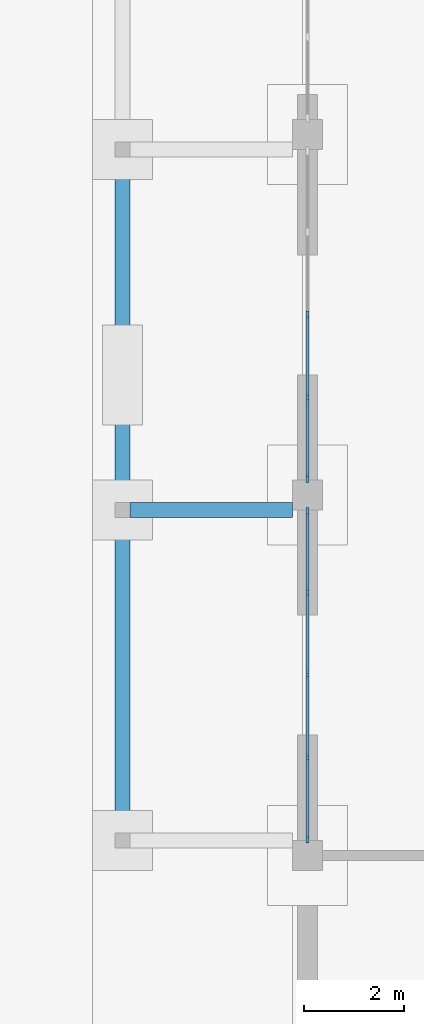
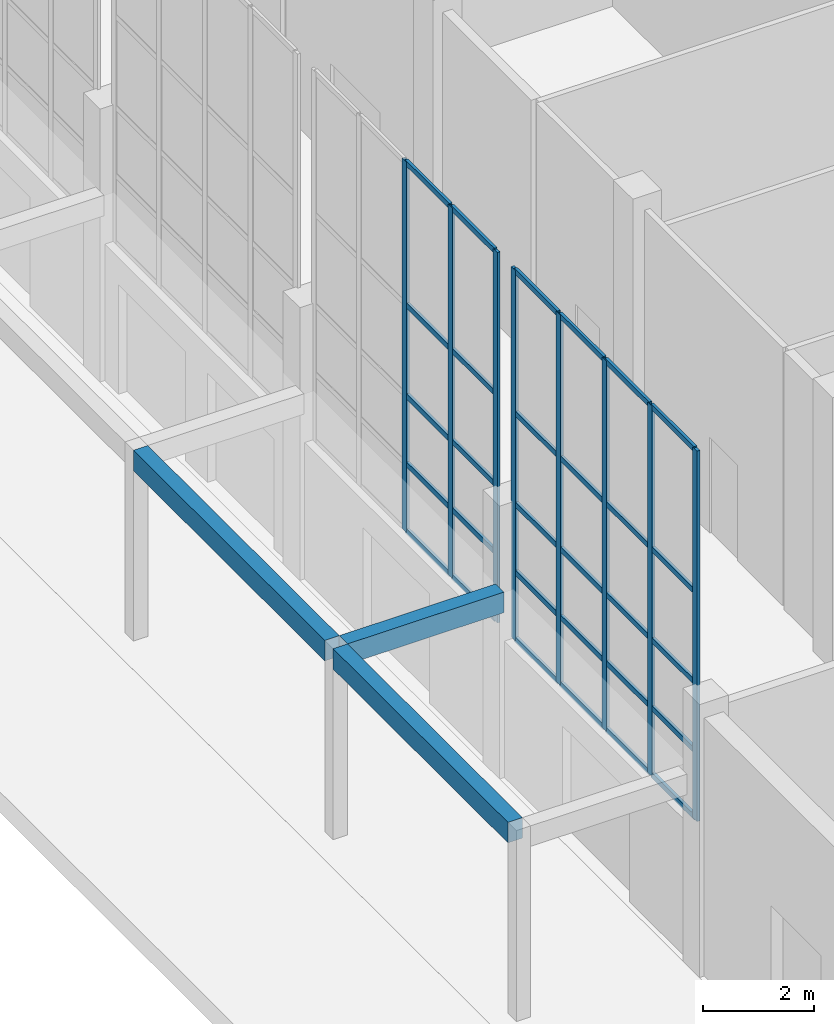
# One storey, part 8 of 70: 38 members, 3 beams, 2 elements without a shape of their own.
"""IFC4 building model written with IfcOpenShell, lengths in metres."""

from ifc_helpers import new_model, si_unit, direction, frame, origin, origin_2d, place, context, subcontext, project, spatial, rectangle, extrude, material, material_profile, profile_set, type_object, element, aggregate, save


model = new_model("IFC4")

# Units and contexts
model_context = context("Model", 3, precision=1e-05, world=origin(), true_north=direction((0.0, 1.0)))
body_context = subcontext(model_context, "Body", "Model", "MODEL_VIEW")
ifc_project = project(units=[si_unit("LENGTHUNIT", "METRE"), si_unit("AREAUNIT", "SQUARE_METRE"), si_unit("VOLUMEUNIT", "CUBIC_METRE"), si_unit("PLANEANGLEUNIT", "RADIAN"), si_unit("MASSUNIT", "GRAM", prefix="KILO")], contexts=[model_context])

# Site, building, storey
site_placement = place(None, origin())
site = spatial("IfcSite", under=ifc_project, at=site_placement, CompositionType="ELEMENT")
building_placement = place(site_placement, origin())
building = spatial("IfcBuilding", under=site, at=building_placement, Name="Vermilion Court Aquatics Centre", CompositionType="ELEMENT")
storey_placement = place(building_placement, origin())
storey = spatial("IfcBuildingStorey", under=building, at=storey_placement, Name="L00", CompositionType="ELEMENT", Elevation=0.0)

# Beams
ifc_material_1 = material(Name="Concrete 5000 psi", Category="concrete")
ifc_material_profile_1 = material_profile(ifc_material_1, rectangle(XDim=0.300048828125, YDim=0.449951171875, at=origin_2d()), Name="RC 300x450")
ifc_profile_set_1 = profile_set([ifc_material_profile_1], Name="Concrete 5000 psi")
beam_type = type_object("IfcBeamType", Name="Foyer canopy beam RC 300x450", PredefinedType="BEAM", material=ifc_profile_set_1)
beam_1_placement = place(storey_placement, frame((-3.25, 21.300048828125, 3.97509765625), z_axis=(1.0, 0.0, 0.0), x_axis=(0.0, 1.0, 0.0)))
element("IfcBeam", 1, at=beam_1_placement, inside=storey, type_object=beam_type, Name="Foyer canopy beam", PredefinedType="BEAM", context=body_context, shape_type="SweptSolid", body=[
    extrude(rectangle(XDim=0.300048828125, YDim=0.449951171875, at=origin_2d()), origin(), (0.0, 0.0, 1.0), 3.25),
])
beam_2_placement = place(storey_placement, frame((-3.39990234375, 14.85009765625, 3.97509765625), z_axis=(0.0, 1.0, 0.0), x_axis=(-1.0, 0.0, 0.0)))
element("IfcBeam", 2, at=beam_2_placement, inside=storey, type_object=beam_type, Name="Foyer canopy edge beam", PredefinedType="BEAM", context=body_context, shape_type="SweptSolid", body=[
    extrude(rectangle(XDim=0.300048828125, YDim=0.449951171875, at=origin_2d()), origin(), (0.0, 0.0, 1.0), 6.2998046875),
])
beam_3_placement = place(storey_placement, frame((-3.39990234375, 21.449951171875, 3.97509765625), z_axis=(0.0, 1.0, 0.0), x_axis=(-1.0, 0.0, 0.0)))
element("IfcBeam", 3, at=beam_3_placement, inside=storey, type_object=beam_type, Name="Foyer canopy edge beam", PredefinedType="BEAM", context=body_context, shape_type="SweptSolid", body=[
    extrude(rectangle(XDim=0.300048828125, YDim=0.449951171875, at=origin_2d()), origin(), (0.0, 0.0, 1.0), 6.900146484375),
])

# Curtain wall, members
ifc_material_2 = material(Name="Aluminium 6063-T5", Category="aluminium")
curtain_wall_type = type_object("IfcCurtainWallType", Name="Foyer curtain wall", PredefinedType="NOTDEFINED", material=ifc_material_2)
curtain_wall_1_placement = place(storey_placement, origin())
curtain_wall_1 = element("IfcCurtainWall", 4, at=curtain_wall_1_placement, inside=storey, type_object=curtain_wall_type, Name="Foyer curtain wall 3", PredefinedType="NOTDEFINED")
ifc_material_3 = material(Name="Aluminium 6063-T5", Category="aluminium")
ifc_material_profile_2 = material_profile(ifc_material_3, rectangle(XDim=0.06005859375, YDim=0.159912109375, at=origin_2d()), Name="Aluminium 60x160")
ifc_profile_set_2 = profile_set([ifc_material_profile_2], Name="Aluminium 6063-T5")
member_type_1 = type_object("IfcMemberType", Name="Foyer mullion 60x160", PredefinedType="MULLION", material=ifc_profile_set_2)
member_1_placement = place(storey_placement, frame((0.300048828125, 14.72998046875, 3.0), z_axis=(0.0, 0.0, 1.0), x_axis=(-1.0, 0.0, 0.0)))
member_1 = element("IfcMember", 5, at=member_1_placement, type_object=member_type_1, Name="FCW1 mullion 1", PredefinedType="MULLION", context=body_context, shape_type="SweptSolid", body=[
    extrude(rectangle(XDim=0.06005859375, YDim=0.159912109375, at=origin_2d()), origin(), (0.0, 0.0, 1.0), 8.14990234375),
])
member_2_placement = place(storey_placement, frame((0.300048828125, 16.35009765625, 3.0), z_axis=(0.0, 0.0, 1.0), x_axis=(-1.0, 0.0, 0.0)))
member_2 = element("IfcMember", 6, at=member_2_placement, type_object=member_type_1, Name="FCW1 mullion 2", PredefinedType="MULLION", context=body_context, shape_type="SweptSolid", body=[
    extrude(rectangle(XDim=0.06005859375, YDim=0.159912109375, at=origin_2d()), origin(), (0.0, 0.0, 1.0), 8.14990234375),
])
member_3_placement = place(storey_placement, frame((0.300048828125, 18.0, 3.0), z_axis=(0.0, 0.0, 1.0), x_axis=(-1.0, 0.0, 0.0)))
member_3 = element("IfcMember", 7, at=member_3_placement, type_object=member_type_1, Name="FCW1 mullion 3", PredefinedType="MULLION", context=body_context, shape_type="SweptSolid", body=[
    extrude(rectangle(XDim=0.06005859375, YDim=0.159912109375, at=origin_2d()), origin(), (0.0, 0.0, 1.0), 8.14990234375),
])
member_4_placement = place(storey_placement, frame((0.300048828125, 19.64990234375, 3.0), z_axis=(0.0, 0.0, 1.0), x_axis=(-1.0, 0.0, 0.0)))
member_4 = element("IfcMember", 8, at=member_4_placement, type_object=member_type_1, Name="FCW1 mullion 4", PredefinedType="MULLION", context=body_context, shape_type="SweptSolid", body=[
    extrude(rectangle(XDim=0.06005859375, YDim=0.159912109375, at=origin_2d()), origin(), (0.0, 0.0, 1.0), 8.14990234375),
])
member_5_placement = place(storey_placement, frame((0.300048828125, 21.27001953125, 3.0), z_axis=(0.0, 0.0, 1.0), x_axis=(-1.0, 0.0, 0.0)))
member_5 = element("IfcMember", 9, at=member_5_placement, type_object=member_type_1, Name="FCW1 mullion 5", PredefinedType="MULLION", context=body_context, shape_type="SweptSolid", body=[
    extrude(rectangle(XDim=0.06005859375, YDim=0.159912109375, at=origin_2d()), origin(), (0.0, 0.0, 1.0), 8.14990234375),
])

curtain_wall_2_placement = place(storey_placement, origin())
curtain_wall_2 = element("IfcCurtainWall", 10, at=curtain_wall_2_placement, inside=storey, type_object=curtain_wall_type, Name="Foyer curtain wall 4", PredefinedType="NOTDEFINED")
member_6_placement = place(storey_placement, frame((0.300048828125, 21.929931640625, 3.0), z_axis=(0.0, 0.0, 1.0), x_axis=(-1.0, 0.0, 0.0)))
member_6 = element("IfcMember", 11, at=member_6_placement, type_object=member_type_1, Name="FCW1 mullion 1", PredefinedType="MULLION", context=body_context, shape_type="SweptSolid", body=[
    extrude(rectangle(XDim=0.06005859375, YDim=0.159912109375, at=origin_2d()), origin(), (0.0, 0.0, 1.0), 8.14990234375),
])
member_7_placement = place(storey_placement, frame((0.300048828125, 23.550048828125, 3.0), z_axis=(0.0, 0.0, 1.0), x_axis=(-1.0, 0.0, 0.0)))
member_7 = element("IfcMember", 12, at=member_7_placement, type_object=member_type_1, Name="FCW1 mullion 2", PredefinedType="MULLION", context=body_context, shape_type="SweptSolid", body=[
    extrude(rectangle(XDim=0.06005859375, YDim=0.159912109375, at=origin_2d()), origin(), (0.0, 0.0, 1.0), 8.14990234375),
])
member_8_placement = place(storey_placement, frame((0.300048828125, 25.199951171875, 3.0), z_axis=(0.0, 0.0, 1.0), x_axis=(-1.0, 0.0, 0.0)))
member_8 = element("IfcMember", 13, at=member_8_placement, type_object=member_type_1, Name="FCW1 mullion 3", PredefinedType="MULLION", context=body_context, shape_type="SweptSolid", body=[
    extrude(rectangle(XDim=0.06005859375, YDim=0.159912109375, at=origin_2d()), origin(), (0.0, 0.0, 1.0), 8.14990234375),
])

# Member
ifc_material_4 = material(Name="Aluminium 6063-T5", Category="aluminium")
ifc_material_profile_3 = material_profile(ifc_material_4, rectangle(XDim=0.06005859375, YDim=0.1201171875, at=origin_2d()), Name="Aluminium 60x120")
ifc_profile_set_3 = profile_set([ifc_material_profile_3], Name="Aluminium 6063-T5")
member_type_2 = type_object("IfcMemberType", Name="Foyer transom 60x120", PredefinedType="USERDEFINED", material=ifc_profile_set_3)
member_9_placement = place(storey_placement, frame((0.300048828125, 14.760009765625, 3.030029296875), z_axis=(0.0, 1.0, 0.0), x_axis=(-1.0, 0.0, 0.0)))
member_9 = element("IfcMember", 14, at=member_9_placement, type_object=member_type_2, Name="FCW1 transom 1.1", ObjectType="TRANSOM", PredefinedType="USERDEFINED", context=body_context, shape_type="SweptSolid", body=[
    extrude(rectangle(XDim=0.06005859375, YDim=0.1201171875, at=origin_2d()), origin(), (0.0, 0.0, 1.0), 1.56005859375),
])

member_10_placement = place(storey_placement, frame((0.300048828125, 14.760009765625, 4.5), z_axis=(0.0, 1.0, 0.0), x_axis=(-1.0, 0.0, 0.0)))
member_10 = element("IfcMember", 15, at=member_10_placement, type_object=member_type_2, Name="FCW1 transom 1.2", ObjectType="TRANSOM", PredefinedType="USERDEFINED", context=body_context, shape_type="SweptSolid", body=[
    extrude(rectangle(XDim=0.06005859375, YDim=0.1201171875, at=origin_2d()), origin(), (0.0, 0.0, 1.0), 1.56005859375),
])

member_11_placement = place(storey_placement, frame((0.300048828125, 14.760009765625, 6.0), z_axis=(0.0, 1.0, 0.0), x_axis=(-1.0, 0.0, 0.0)))
member_11 = element("IfcMember", 16, at=member_11_placement, type_object=member_type_2, Name="FCW1 transom 1.3", ObjectType="TRANSOM", PredefinedType="USERDEFINED", context=body_context, shape_type="SweptSolid", body=[
    extrude(rectangle(XDim=0.06005859375, YDim=0.1201171875, at=origin_2d()), origin(), (0.0, 0.0, 1.0), 1.56005859375),
])

member_12_placement = place(storey_placement, frame((0.300048828125, 14.760009765625, 8.0), z_axis=(0.0, 1.0, 0.0), x_axis=(-1.0, 0.0, 0.0)))
member_12 = element("IfcMember", 17, at=member_12_placement, type_object=member_type_2, Name="FCW1 transom 1.4", ObjectType="TRANSOM", PredefinedType="USERDEFINED", context=body_context, shape_type="SweptSolid", body=[
    extrude(rectangle(XDim=0.06005859375, YDim=0.1201171875, at=origin_2d()), origin(), (0.0, 0.0, 1.0), 1.56005859375),
])

member_13_placement = place(storey_placement, frame((0.300048828125, 14.760009765625, 11.1201171875), z_axis=(0.0, 1.0, 0.0), x_axis=(-1.0, 0.0, 0.0)))
member_13 = element("IfcMember", 18, at=member_13_placement, type_object=member_type_2, Name="FCW1 transom 1.5", ObjectType="TRANSOM", PredefinedType="USERDEFINED", context=body_context, shape_type="SweptSolid", body=[
    extrude(rectangle(XDim=0.06005859375, YDim=0.1201171875, at=origin_2d()), origin(), (0.0, 0.0, 1.0), 1.56005859375),
])

member_14_placement = place(storey_placement, frame((0.300048828125, 16.3798828125, 3.030029296875), z_axis=(0.0, 1.0, 0.0), x_axis=(-1.0, 0.0, 0.0)))
member_14 = element("IfcMember", 19, at=member_14_placement, type_object=member_type_2, Name="FCW1 transom 2.1", ObjectType="TRANSOM", PredefinedType="USERDEFINED", context=body_context, shape_type="SweptSolid", body=[
    extrude(rectangle(XDim=0.06005859375, YDim=0.1201171875, at=origin_2d()), origin(), (0.0, 0.0, 1.0), 1.590087890625),
])

member_15_placement = place(storey_placement, frame((0.300048828125, 16.3798828125, 4.5), z_axis=(0.0, 1.0, 0.0), x_axis=(-1.0, 0.0, 0.0)))
member_15 = element("IfcMember", 20, at=member_15_placement, type_object=member_type_2, Name="FCW1 transom 2.2", ObjectType="TRANSOM", PredefinedType="USERDEFINED", context=body_context, shape_type="SweptSolid", body=[
    extrude(rectangle(XDim=0.06005859375, YDim=0.1201171875, at=origin_2d()), origin(), (0.0, 0.0, 1.0), 1.590087890625),
])

member_16_placement = place(storey_placement, frame((0.300048828125, 16.3798828125, 6.0), z_axis=(0.0, 1.0, 0.0), x_axis=(-1.0, 0.0, 0.0)))
member_16 = element("IfcMember", 21, at=member_16_placement, type_object=member_type_2, Name="FCW1 transom 2.3", ObjectType="TRANSOM", PredefinedType="USERDEFINED", context=body_context, shape_type="SweptSolid", body=[
    extrude(rectangle(XDim=0.06005859375, YDim=0.1201171875, at=origin_2d()), origin(), (0.0, 0.0, 1.0), 1.590087890625),
])

member_17_placement = place(storey_placement, frame((0.300048828125, 16.3798828125, 8.0), z_axis=(0.0, 1.0, 0.0), x_axis=(-1.0, 0.0, 0.0)))
member_17 = element("IfcMember", 22, at=member_17_placement, type_object=member_type_2, Name="FCW1 transom 2.4", ObjectType="TRANSOM", PredefinedType="USERDEFINED", context=body_context, shape_type="SweptSolid", body=[
    extrude(rectangle(XDim=0.06005859375, YDim=0.1201171875, at=origin_2d()), origin(), (0.0, 0.0, 1.0), 1.590087890625),
])

member_18_placement = place(storey_placement, frame((0.300048828125, 16.3798828125, 11.1201171875), z_axis=(0.0, 1.0, 0.0), x_axis=(-1.0, 0.0, 0.0)))
member_18 = element("IfcMember", 23, at=member_18_placement, type_object=member_type_2, Name="FCW1 transom 2.5", ObjectType="TRANSOM", PredefinedType="USERDEFINED", context=body_context, shape_type="SweptSolid", body=[
    extrude(rectangle(XDim=0.06005859375, YDim=0.1201171875, at=origin_2d()), origin(), (0.0, 0.0, 1.0), 1.590087890625),
])

member_19_placement = place(storey_placement, frame((0.300048828125, 18.030029296875, 3.030029296875), z_axis=(0.0, 1.0, 0.0), x_axis=(-1.0, 0.0, 0.0)))
member_19 = element("IfcMember", 24, at=member_19_placement, type_object=member_type_2, Name="FCW1 transom 3.1", ObjectType="TRANSOM", PredefinedType="USERDEFINED", context=body_context, shape_type="SweptSolid", body=[
    extrude(rectangle(XDim=0.06005859375, YDim=0.1201171875, at=origin_2d()), origin(), (0.0, 0.0, 1.0), 1.590087890625),
])

member_20_placement = place(storey_placement, frame((0.300048828125, 18.030029296875, 4.5), z_axis=(0.0, 1.0, 0.0), x_axis=(-1.0, 0.0, 0.0)))
member_20 = element("IfcMember", 25, at=member_20_placement, type_object=member_type_2, Name="FCW1 transom 3.2", ObjectType="TRANSOM", PredefinedType="USERDEFINED", context=body_context, shape_type="SweptSolid", body=[
    extrude(rectangle(XDim=0.06005859375, YDim=0.1201171875, at=origin_2d()), origin(), (0.0, 0.0, 1.0), 1.590087890625),
])

member_21_placement = place(storey_placement, frame((0.300048828125, 18.030029296875, 6.0), z_axis=(0.0, 1.0, 0.0), x_axis=(-1.0, 0.0, 0.0)))
member_21 = element("IfcMember", 26, at=member_21_placement, type_object=member_type_2, Name="FCW1 transom 3.3", ObjectType="TRANSOM", PredefinedType="USERDEFINED", context=body_context, shape_type="SweptSolid", body=[
    extrude(rectangle(XDim=0.06005859375, YDim=0.1201171875, at=origin_2d()), origin(), (0.0, 0.0, 1.0), 1.590087890625),
])

member_22_placement = place(storey_placement, frame((0.300048828125, 18.030029296875, 8.0), z_axis=(0.0, 1.0, 0.0), x_axis=(-1.0, 0.0, 0.0)))
member_22 = element("IfcMember", 27, at=member_22_placement, type_object=member_type_2, Name="FCW1 transom 3.4", ObjectType="TRANSOM", PredefinedType="USERDEFINED", context=body_context, shape_type="SweptSolid", body=[
    extrude(rectangle(XDim=0.06005859375, YDim=0.1201171875, at=origin_2d()), origin(), (0.0, 0.0, 1.0), 1.590087890625),
])

member_23_placement = place(storey_placement, frame((0.300048828125, 18.030029296875, 11.1201171875), z_axis=(0.0, 1.0, 0.0), x_axis=(-1.0, 0.0, 0.0)))
member_23 = element("IfcMember", 28, at=member_23_placement, type_object=member_type_2, Name="FCW1 transom 3.5", ObjectType="TRANSOM", PredefinedType="USERDEFINED", context=body_context, shape_type="SweptSolid", body=[
    extrude(rectangle(XDim=0.06005859375, YDim=0.1201171875, at=origin_2d()), origin(), (0.0, 0.0, 1.0), 1.590087890625),
])

member_24_placement = place(storey_placement, frame((0.300048828125, 19.679931640625, 3.030029296875), z_axis=(0.0, 1.0, 0.0), x_axis=(-1.0, 0.0, 0.0)))
member_24 = element("IfcMember", 29, at=member_24_placement, type_object=member_type_2, Name="FCW1 transom 4.1", ObjectType="TRANSOM", PredefinedType="USERDEFINED", context=body_context, shape_type="SweptSolid", body=[
    extrude(rectangle(XDim=0.06005859375, YDim=0.1201171875, at=origin_2d()), origin(), (0.0, 0.0, 1.0), 1.56005859375),
])

member_25_placement = place(storey_placement, frame((0.300048828125, 19.679931640625, 4.5), z_axis=(0.0, 1.0, 0.0), x_axis=(-1.0, 0.0, 0.0)))
member_25 = element("IfcMember", 30, at=member_25_placement, type_object=member_type_2, Name="FCW1 transom 4.2", ObjectType="TRANSOM", PredefinedType="USERDEFINED", context=body_context, shape_type="SweptSolid", body=[
    extrude(rectangle(XDim=0.06005859375, YDim=0.1201171875, at=origin_2d()), origin(), (0.0, 0.0, 1.0), 1.56005859375),
])

member_26_placement = place(storey_placement, frame((0.300048828125, 19.679931640625, 6.0), z_axis=(0.0, 1.0, 0.0), x_axis=(-1.0, 0.0, 0.0)))
member_26 = element("IfcMember", 31, at=member_26_placement, type_object=member_type_2, Name="FCW1 transom 4.3", ObjectType="TRANSOM", PredefinedType="USERDEFINED", context=body_context, shape_type="SweptSolid", body=[
    extrude(rectangle(XDim=0.06005859375, YDim=0.1201171875, at=origin_2d()), origin(), (0.0, 0.0, 1.0), 1.56005859375),
])

member_27_placement = place(storey_placement, frame((0.300048828125, 19.679931640625, 8.0), z_axis=(0.0, 1.0, 0.0), x_axis=(-1.0, 0.0, 0.0)))
member_27 = element("IfcMember", 32, at=member_27_placement, type_object=member_type_2, Name="FCW1 transom 4.4", ObjectType="TRANSOM", PredefinedType="USERDEFINED", context=body_context, shape_type="SweptSolid", body=[
    extrude(rectangle(XDim=0.06005859375, YDim=0.1201171875, at=origin_2d()), origin(), (0.0, 0.0, 1.0), 1.56005859375),
])

member_28_placement = place(storey_placement, frame((0.300048828125, 19.679931640625, 11.1201171875), z_axis=(0.0, 1.0, 0.0), x_axis=(-1.0, 0.0, 0.0)))
member_28 = element("IfcMember", 33, at=member_28_placement, type_object=member_type_2, Name="FCW1 transom 4.5", ObjectType="TRANSOM", PredefinedType="USERDEFINED", context=body_context, shape_type="SweptSolid", body=[
    extrude(rectangle(XDim=0.06005859375, YDim=0.1201171875, at=origin_2d()), origin(), (0.0, 0.0, 1.0), 1.56005859375),
])

aggregate(curtain_wall_1, [member_1, member_2, member_3, member_4, member_5, member_9, member_10, member_11, member_12, member_13, member_14, member_15, member_16, member_17, member_18, member_19, member_20, member_21, member_22, member_23, member_24, member_25, member_26, member_27, member_28])

member_29_placement = place(storey_placement, frame((0.300048828125, 21.9599609375, 3.030029296875), z_axis=(0.0, 1.0, 0.0), x_axis=(-1.0, 0.0, 0.0)))
member_29 = element("IfcMember", 34, at=member_29_placement, type_object=member_type_2, Name="FCW1 transom 1.1", ObjectType="TRANSOM", PredefinedType="USERDEFINED", context=body_context, shape_type="SweptSolid", body=[
    extrude(rectangle(XDim=0.06005859375, YDim=0.1201171875, at=origin_2d()), origin(), (0.0, 0.0, 1.0), 1.56005859375),
])

member_30_placement = place(storey_placement, frame((0.300048828125, 21.9599609375, 4.5), z_axis=(0.0, 1.0, 0.0), x_axis=(-1.0, 0.0, 0.0)))
member_30 = element("IfcMember", 35, at=member_30_placement, type_object=member_type_2, Name="FCW1 transom 1.2", ObjectType="TRANSOM", PredefinedType="USERDEFINED", context=body_context, shape_type="SweptSolid", body=[
    extrude(rectangle(XDim=0.06005859375, YDim=0.1201171875, at=origin_2d()), origin(), (0.0, 0.0, 1.0), 1.56005859375),
])

member_31_placement = place(storey_placement, frame((0.300048828125, 21.9599609375, 6.0), z_axis=(0.0, 1.0, 0.0), x_axis=(-1.0, 0.0, 0.0)))
member_31 = element("IfcMember", 36, at=member_31_placement, type_object=member_type_2, Name="FCW1 transom 1.3", ObjectType="TRANSOM", PredefinedType="USERDEFINED", context=body_context, shape_type="SweptSolid", body=[
    extrude(rectangle(XDim=0.06005859375, YDim=0.1201171875, at=origin_2d()), origin(), (0.0, 0.0, 1.0), 1.56005859375),
])

member_32_placement = place(storey_placement, frame((0.300048828125, 21.9599609375, 8.0), z_axis=(0.0, 1.0, 0.0), x_axis=(-1.0, 0.0, 0.0)))
member_32 = element("IfcMember", 37, at=member_32_placement, type_object=member_type_2, Name="FCW1 transom 1.4", ObjectType="TRANSOM", PredefinedType="USERDEFINED", context=body_context, shape_type="SweptSolid", body=[
    extrude(rectangle(XDim=0.06005859375, YDim=0.1201171875, at=origin_2d()), origin(), (0.0, 0.0, 1.0), 1.56005859375),
])

member_33_placement = place(storey_placement, frame((0.300048828125, 21.9599609375, 11.1201171875), z_axis=(0.0, 1.0, 0.0), x_axis=(-1.0, 0.0, 0.0)))
member_33 = element("IfcMember", 38, at=member_33_placement, type_object=member_type_2, Name="FCW1 transom 1.5", ObjectType="TRANSOM", PredefinedType="USERDEFINED", context=body_context, shape_type="SweptSolid", body=[
    extrude(rectangle(XDim=0.06005859375, YDim=0.1201171875, at=origin_2d()), origin(), (0.0, 0.0, 1.0), 1.56005859375),
])

member_34_placement = place(storey_placement, frame((0.300048828125, 23.580078125, 3.030029296875), z_axis=(0.0, 1.0, 0.0), x_axis=(-1.0, 0.0, 0.0)))
member_34 = element("IfcMember", 39, at=member_34_placement, type_object=member_type_2, Name="FCW1 transom 2.1", ObjectType="TRANSOM", PredefinedType="USERDEFINED", context=body_context, shape_type="SweptSolid", body=[
    extrude(rectangle(XDim=0.06005859375, YDim=0.1201171875, at=origin_2d()), origin(), (0.0, 0.0, 1.0), 1.58984375),
])

member_35_placement = place(storey_placement, frame((0.300048828125, 23.580078125, 4.5), z_axis=(0.0, 1.0, 0.0), x_axis=(-1.0, 0.0, 0.0)))
member_35 = element("IfcMember", 40, at=member_35_placement, type_object=member_type_2, Name="FCW1 transom 2.2", ObjectType="TRANSOM", PredefinedType="USERDEFINED", context=body_context, shape_type="SweptSolid", body=[
    extrude(rectangle(XDim=0.06005859375, YDim=0.1201171875, at=origin_2d()), origin(), (0.0, 0.0, 1.0), 1.58984375),
])

member_36_placement = place(storey_placement, frame((0.300048828125, 23.580078125, 6.0), z_axis=(0.0, 1.0, 0.0), x_axis=(-1.0, 0.0, 0.0)))
member_36 = element("IfcMember", 41, at=member_36_placement, type_object=member_type_2, Name="FCW1 transom 2.3", ObjectType="TRANSOM", PredefinedType="USERDEFINED", context=body_context, shape_type="SweptSolid", body=[
    extrude(rectangle(XDim=0.06005859375, YDim=0.1201171875, at=origin_2d()), origin(), (0.0, 0.0, 1.0), 1.58984375),
])

member_37_placement = place(storey_placement, frame((0.300048828125, 23.580078125, 8.0), z_axis=(0.0, 1.0, 0.0), x_axis=(-1.0, 0.0, 0.0)))
member_37 = element("IfcMember", 42, at=member_37_placement, type_object=member_type_2, Name="FCW1 transom 2.4", ObjectType="TRANSOM", PredefinedType="USERDEFINED", context=body_context, shape_type="SweptSolid", body=[
    extrude(rectangle(XDim=0.06005859375, YDim=0.1201171875, at=origin_2d()), origin(), (0.0, 0.0, 1.0), 1.58984375),
])

member_38_placement = place(storey_placement, frame((0.300048828125, 23.580078125, 11.1201171875), z_axis=(0.0, 1.0, 0.0), x_axis=(-1.0, 0.0, 0.0)))
member_38 = element("IfcMember", 43, at=member_38_placement, type_object=member_type_2, Name="FCW1 transom 2.5", ObjectType="TRANSOM", PredefinedType="USERDEFINED", context=body_context, shape_type="SweptSolid", body=[
    extrude(rectangle(XDim=0.06005859375, YDim=0.1201171875, at=origin_2d()), origin(), (0.0, 0.0, 1.0), 1.58984375),
])

aggregate(curtain_wall_2, [member_6, member_7, member_8, member_29, member_30, member_31, member_32, member_33, member_34, member_35, member_36, member_37, member_38])

save(model, "model.ifc")
